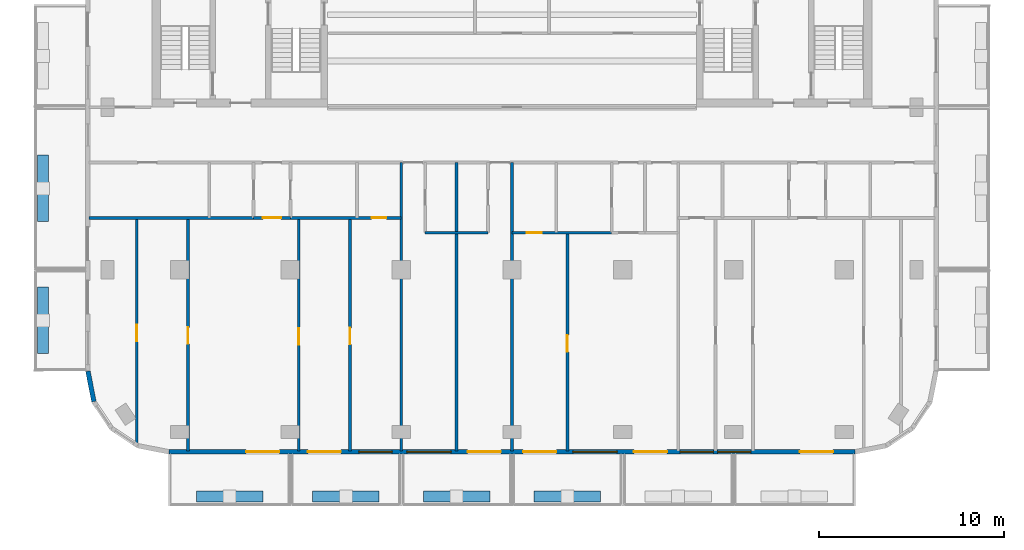
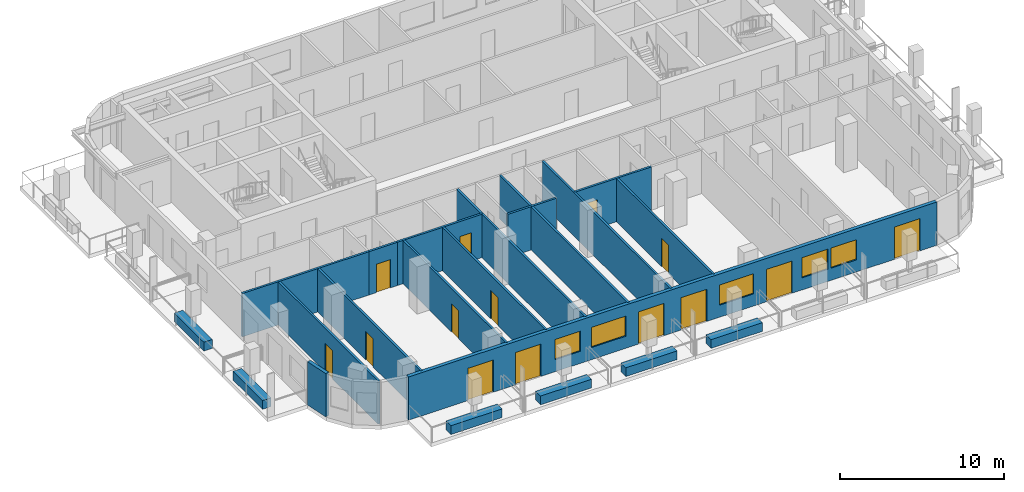
# One storey, part 2 of 11: 21 walls, 14 doors, 5 windows, 19 openings.
"""IFC4 building model written with IfcOpenShell, lengths in metres."""

from ifc_helpers import new_model, si_unit, direction, frame, frame_2d, origin, place, context, subcontext, project, spatial, rectangle, extrude, material, layer, layer_set, type_object, element, fill, save


model = new_model("IFC4")

# Units and contexts
model_context = context("Model", 3, precision=1e-05, world=origin(), true_north=direction((0.0, 1.0)))
body_context = subcontext(model_context, "Body", "Model", "MODEL_VIEW")
ifc_project = project(units=[si_unit("LENGTHUNIT", "METRE"), si_unit("AREAUNIT", "SQUARE_METRE"), si_unit("VOLUMEUNIT", "CUBIC_METRE"), si_unit("PLANEANGLEUNIT", "RADIAN"), si_unit("MASSUNIT", "GRAM", prefix="KILO")], contexts=[model_context])

# Site, building, storey
site_placement = place(None, origin())
site = spatial("IfcSite", under=ifc_project, at=site_placement, CompositionType="ELEMENT")
building_placement = place(site_placement, origin())
building = spatial("IfcBuilding", under=site, at=building_placement, Name="Torana Hotel and Residences", CompositionType="ELEMENT")
storey_placement = place(building_placement, frame((0.0, 0.0, 294.60009765625)))
storey = spatial("IfcBuildingStorey", under=building, at=storey_placement, Name="L78", CompositionType="ELEMENT", Elevation=294.60009765625)

# Wall
ifc_material_1 = material(Name="Black aluminium composite panel", Category="aluminium")
ifc_layer_1 = layer(ifc_material_1, 0.00390625, Name="Cladding", Category="cladding")
ifc_material_2 = material(Name="Ventilated air cavity")
ifc_layer_2 = layer(ifc_material_2, 0.0400390625, Name="Ventilated cavity", Category="cavity")
ifc_material_3 = material(Name="Mineral wool insulation")
ifc_layer_3 = layer(ifc_material_3, 0.090087890625, Name="Insulation", Category="insulation")
ifc_material_4 = material(Name="Steel S280GD", Category="steel")
ifc_layer_4 = layer(ifc_material_4, 0.092041015625, Name="Steel stud frame", Category="structure")
ifc_material_5 = material(Name="Fire rated plasterboard")
ifc_layer_5 = layer(ifc_material_5, 0.011962890625, Name="Inner board", Category="finish")
ifc_layer_6 = layer(ifc_material_5, 0.011962890625, Name="Second board", Category="finish")
ifc_layer_set_1 = layer_set([ifc_layer_1, ifc_layer_2, ifc_layer_3, ifc_layer_4, ifc_layer_5, ifc_layer_6], Name="EW1 EXTERNAL WALL BLACK METAL CLAD 250")
wall_type_1 = type_object("IfcWallType", Name="EW1 EXTERNAL WALL BLACK METAL CLAD 250", PredefinedType="SOLIDWALL", material=ifc_layer_set_1)
wall_1_placement = place(storey_placement, frame((-22.97265625, -29.2998046875, 0.0), z_axis=(0.0, 0.0, 1.0), x_axis=(0.19513878023, -0.980775640221, 0.0)))
element("IfcWall", 1, at=wall_1_placement, inside=storey, type_object=wall_type_1, Name="External wall L78 e0.10", PredefinedType="SOLIDWALL", context=body_context, shape_type="SweptSolid", body=[
    extrude(rectangle(XDim=1.681396484375, YDim=0.25, at=frame_2d((0.8408203125, 0.0))), origin(), (0.0, 0.0, 1.0), 3.219970703125),
])

# Wall, openings, doors, windows
wall_2_placement = place(storey_placement, frame((-18.575439453125, -33.675048828125, 0.0), z_axis=(0.0, 0.0, 1.0), x_axis=(1.0, 0.0, 0.0)))
wall_2 = element("IfcWall", 2, at=wall_2_placement, inside=storey, type_object=wall_type_1, Name="External wall L78 e0.14", PredefinedType="SOLIDWALL", context=body_context, shape_type="SweptSolid", body=[
    extrude(rectangle(XDim=37.15087890625, YDim=0.25, at=frame_2d((18.575439453125, 0.0))), origin(), (0.0, 0.0, 1.0), 3.219970703125),
])
opening_1_placement = place(wall_2_placement, frame((4.17529296875, 0.0, 0.0)))
opening_1 = element("IfcOpeningElement", 3, at=opening_1_placement, cuts=wall_2, Name="Opening L78-E01", PredefinedType="OPENING", context=body_context, shape_type="SweptSolid", body=[
    extrude(rectangle(XDim=1.800048828125, YDim=2.39990234375, at=frame_2d((0.89990234375, 1.199951171875))), frame((0.0, 0.135009765625, 0.0), z_axis=(0.0, -1.0, 0.0), x_axis=(1.0, 0.0, 0.0)), (0.0, 0.0, 1.0), 0.27001953125),
])
opening_2_placement = place(wall_2_placement, frame((7.512451171875, 0.0, 0.0)))
opening_2 = element("IfcOpeningElement", 4, at=opening_2_placement, cuts=wall_2, Name="Opening L78-E02", PredefinedType="OPENING", context=body_context, shape_type="SweptSolid", body=[
    extrude(rectangle(XDim=1.800048828125, YDim=2.39990234375, at=frame_2d((0.89990234375, 1.199951171875))), frame((0.0, 0.135009765625, 0.0), z_axis=(0.0, -1.0, 0.0), x_axis=(1.0, 0.0, 0.0)), (0.0, 0.0, 1.0), 0.27001953125),
])
opening_3_placement = place(wall_2_placement, frame((10.287353515625, 0.0, 0.89990234375)))
opening_3 = element("IfcOpeningElement", 5, at=opening_3_placement, cuts=wall_2, Name="Opening W4", PredefinedType="OPENING", context=body_context, shape_type="SweptSolid", body=[
    extrude(rectangle(XDim=1.800048828125, YDim=1.5, at=frame_2d((0.89990234375, 0.75))), frame((0.0, 0.135009765625, 0.0), z_axis=(0.0, -1.0, 0.0), x_axis=(1.0, 0.0, 0.0)), (0.0, 0.0, 1.0), 0.27001953125),
])
opening_4_placement = place(wall_2_placement, frame((12.87548828125, 0.0, 0.89990234375)))
opening_4 = element("IfcOpeningElement", 6, at=opening_4_placement, cuts=wall_2, Name="Opening W3", PredefinedType="OPENING", context=body_context, shape_type="SweptSolid", body=[
    extrude(rectangle(XDim=2.39990234375, YDim=1.5, at=frame_2d((1.199951171875, 0.75))), frame((0.0, 0.135009765625, 0.0), z_axis=(0.0, -1.0, 0.0), x_axis=(1.0, 0.0, 0.0)), (0.0, 0.0, 1.0), 0.27001953125),
])
opening_5_placement = place(wall_2_placement, frame((16.17529296875, 0.0, 0.0)))
opening_5 = element("IfcOpeningElement", 7, at=opening_5_placement, cuts=wall_2, Name="Opening L78-E03", PredefinedType="OPENING", context=body_context, shape_type="SweptSolid", body=[
    extrude(rectangle(XDim=1.800048828125, YDim=2.39990234375, at=frame_2d((0.89990234375, 1.199951171875))), frame((0.0, 0.135009765625, 0.0), z_axis=(0.0, -1.0, 0.0), x_axis=(1.0, 0.0, 0.0)), (0.0, 0.0, 1.0), 0.27001953125),
])
opening_6_placement = place(wall_2_placement, frame((19.17529296875, 0.0, 0.0)))
opening_6 = element("IfcOpeningElement", 8, at=opening_6_placement, cuts=wall_2, Name="Opening L78-E04", PredefinedType="OPENING", context=body_context, shape_type="SweptSolid", body=[
    extrude(rectangle(XDim=1.800048828125, YDim=2.39990234375, at=frame_2d((0.89990234375, 1.199951171875))), frame((0.0, 0.135009765625, 0.0), z_axis=(0.0, -1.0, 0.0), x_axis=(1.0, 0.0, 0.0)), (0.0, 0.0, 1.0), 0.27001953125),
])
opening_7_placement = place(wall_2_placement, frame((21.87548828125, 0.0, 0.89990234375)))
opening_7 = element("IfcOpeningElement", 9, at=opening_7_placement, cuts=wall_2, Name="Opening W3", PredefinedType="OPENING", context=body_context, shape_type="SweptSolid", body=[
    extrude(rectangle(XDim=2.39990234375, YDim=1.5, at=frame_2d((1.199951171875, 0.75))), frame((0.0, 0.135009765625, 0.0), z_axis=(0.0, -1.0, 0.0), x_axis=(1.0, 0.0, 0.0)), (0.0, 0.0, 1.0), 0.27001953125),
])
opening_8_placement = place(wall_2_placement, frame((25.17529296875, 0.0, 0.0)))
opening_8 = element("IfcOpeningElement", 10, at=opening_8_placement, cuts=wall_2, Name="Opening L78-E05", PredefinedType="OPENING", context=body_context, shape_type="SweptSolid", body=[
    extrude(rectangle(XDim=1.800048828125, YDim=2.39990234375, at=frame_2d((0.89990234375, 1.199951171875))), frame((0.0, 0.135009765625, 0.0), z_axis=(0.0, -1.0, 0.0), x_axis=(1.0, 0.0, 0.0)), (0.0, 0.0, 1.0), 0.27001953125),
])
opening_9_placement = place(wall_2_placement, frame((27.6875, 0.0, 0.89990234375)))
opening_9 = element("IfcOpeningElement", 11, at=opening_9_placement, cuts=wall_2, Name="Opening W4", PredefinedType="OPENING", context=body_context, shape_type="SweptSolid", body=[
    extrude(rectangle(XDim=1.800048828125, YDim=1.5, at=frame_2d((0.89990234375, 0.75))), frame((0.0, 0.135009765625, 0.0), z_axis=(0.0, -1.0, 0.0), x_axis=(1.0, 0.0, 0.0)), (0.0, 0.0, 1.0), 0.27001953125),
])
opening_10_placement = place(wall_2_placement, frame((29.71337890625, 0.0, 0.89990234375)))
opening_10 = element("IfcOpeningElement", 12, at=opening_10_placement, cuts=wall_2, Name="Opening W4", PredefinedType="OPENING", context=body_context, shape_type="SweptSolid", body=[
    extrude(rectangle(XDim=1.800048828125, YDim=1.5, at=frame_2d((0.89990234375, 0.75))), frame((0.0, 0.135009765625, 0.0), z_axis=(0.0, -1.0, 0.0), x_axis=(1.0, 0.0, 0.0)), (0.0, 0.0, 1.0), 0.27001953125),
])
opening_11_placement = place(wall_2_placement, frame((34.17529296875, 0.0, 0.0)))
opening_11 = element("IfcOpeningElement", 13, at=opening_11_placement, cuts=wall_2, Name="Opening L78-E06", PredefinedType="OPENING", context=body_context, shape_type="SweptSolid", body=[
    extrude(rectangle(XDim=1.800048828125, YDim=2.39990234375, at=frame_2d((0.89990234375, 1.199951171875))), frame((0.0, 0.135009765625, 0.0), z_axis=(0.0, -1.0, 0.0), x_axis=(1.0, 0.0, 0.0)), (0.0, 0.0, 1.0), 0.27001953125),
])
ifc_material_6 = material(Name="Dark glass in black aluminium frame", Category="aluminium")
door_type_1 = type_object("IfcDoorType", Name="DB1 BALCONY DOOR 1800x2400", OperationType="DOUBLE_DOOR_SINGLE_SWING", PredefinedType="DOOR", material=ifc_material_6)
door_1_placement = place(opening_1_placement, origin())
door_1 = element("IfcDoor", 14, at=door_1_placement, inside=storey, type_object=door_type_1, Name="Balcony door L78", OperationType="DOUBLE_DOOR_SINGLE_SWING", OverallHeight=2.39990234375, OverallWidth=1.800048828125, PredefinedType="DOOR", context=body_context, shape_type="SweptSolid", body=[
    extrude(rectangle(XDim=1.800048828125, YDim=2.39990234375, at=frame_2d((0.89990234375, 1.199951171875))), frame((0.0, 0.02490234375, 0.0), z_axis=(0.0, -1.0, 0.0), x_axis=(1.0, 0.0, 0.0)), (0.0, 0.0, 1.0), 0.050048828125),
])
fill(opening_1, door_1)
door_2_placement = place(opening_2_placement, origin())
door_2 = element("IfcDoor", 15, at=door_2_placement, inside=storey, type_object=door_type_1, Name="Balcony door L78", OperationType="DOUBLE_DOOR_SINGLE_SWING", OverallHeight=2.39990234375, OverallWidth=1.800048828125, PredefinedType="DOOR", context=body_context, shape_type="SweptSolid", body=[
    extrude(rectangle(XDim=1.800048828125, YDim=2.39990234375, at=frame_2d((0.89990234375, 1.199951171875))), frame((0.0, 0.02490234375, 0.0), z_axis=(0.0, -1.0, 0.0), x_axis=(1.0, 0.0, 0.0)), (0.0, 0.0, 1.0), 0.050048828125),
])
fill(opening_2, door_2)
door_3_placement = place(opening_5_placement, origin())
door_3 = element("IfcDoor", 16, at=door_3_placement, inside=storey, type_object=door_type_1, Name="Balcony door L78", OperationType="DOUBLE_DOOR_SINGLE_SWING", OverallHeight=2.39990234375, OverallWidth=1.800048828125, PredefinedType="DOOR", context=body_context, shape_type="SweptSolid", body=[
    extrude(rectangle(XDim=1.800048828125, YDim=2.39990234375, at=frame_2d((0.89990234375, 1.199951171875))), frame((0.0, 0.02490234375, 0.0), z_axis=(0.0, -1.0, 0.0), x_axis=(1.0, 0.0, 0.0)), (0.0, 0.0, 1.0), 0.050048828125),
])
fill(opening_5, door_3)
door_4_placement = place(opening_6_placement, origin())
door_4 = element("IfcDoor", 17, at=door_4_placement, inside=storey, type_object=door_type_1, Name="Balcony door L78", OperationType="DOUBLE_DOOR_SINGLE_SWING", OverallHeight=2.39990234375, OverallWidth=1.800048828125, PredefinedType="DOOR", context=body_context, shape_type="SweptSolid", body=[
    extrude(rectangle(XDim=1.800048828125, YDim=2.39990234375, at=frame_2d((0.89990234375, 1.199951171875))), frame((0.0, 0.02490234375, 0.0), z_axis=(0.0, -1.0, 0.0), x_axis=(1.0, 0.0, 0.0)), (0.0, 0.0, 1.0), 0.050048828125),
])
fill(opening_6, door_4)
door_5_placement = place(opening_8_placement, origin())
door_5 = element("IfcDoor", 18, at=door_5_placement, inside=storey, type_object=door_type_1, Name="Balcony door L78", OperationType="DOUBLE_DOOR_SINGLE_SWING", OverallHeight=2.39990234375, OverallWidth=1.800048828125, PredefinedType="DOOR", context=body_context, shape_type="SweptSolid", body=[
    extrude(rectangle(XDim=1.800048828125, YDim=2.39990234375, at=frame_2d((0.89990234375, 1.199951171875))), frame((0.0, 0.02490234375, 0.0), z_axis=(0.0, -1.0, 0.0), x_axis=(1.0, 0.0, 0.0)), (0.0, 0.0, 1.0), 0.050048828125),
])
fill(opening_8, door_5)
door_6_placement = place(opening_11_placement, origin())
door_6 = element("IfcDoor", 19, at=door_6_placement, inside=storey, type_object=door_type_1, Name="Balcony door L78", OperationType="DOUBLE_DOOR_SINGLE_SWING", OverallHeight=2.39990234375, OverallWidth=1.800048828125, PredefinedType="DOOR", context=body_context, shape_type="SweptSolid", body=[
    extrude(rectangle(XDim=1.800048828125, YDim=2.39990234375, at=frame_2d((0.89990234375, 1.199951171875))), frame((0.0, 0.02490234375, 0.0), z_axis=(0.0, -1.0, 0.0), x_axis=(1.0, 0.0, 0.0)), (0.0, 0.0, 1.0), 0.050048828125),
])
fill(opening_11, door_6)
ifc_material_7 = material(Name="Dark glass in black aluminium frame", Category="aluminium")
window_type_1 = type_object("IfcWindowType", Name="W3 RESIDENCE WINDOW 2400x1500", PartitioningType="SINGLE_PANEL", PredefinedType="WINDOW", material=ifc_material_7)
window_1_placement = place(opening_4_placement, origin())
window_1 = element("IfcWindow", 20, at=window_1_placement, inside=storey, type_object=window_type_1, Name="Window L78", OverallHeight=1.5, OverallWidth=2.39990234375, PartitioningType="SINGLE_PANEL", PredefinedType="WINDOW", context=body_context, shape_type="SweptSolid", body=[
    extrude(rectangle(XDim=2.39990234375, YDim=1.5, at=frame_2d((1.199951171875, 0.75))), frame((0.0, 0.030029296875, 0.0), z_axis=(0.0, -1.0, 0.0), x_axis=(1.0, 0.0, 0.0)), (0.0, 0.0, 1.0), 0.06005859375),
])
fill(opening_4, window_1)
window_2_placement = place(opening_7_placement, origin())
window_2 = element("IfcWindow", 21, at=window_2_placement, inside=storey, type_object=window_type_1, Name="Window L78", OverallHeight=1.5, OverallWidth=2.39990234375, PartitioningType="SINGLE_PANEL", PredefinedType="WINDOW", context=body_context, shape_type="SweptSolid", body=[
    extrude(rectangle(XDim=2.39990234375, YDim=1.5, at=frame_2d((1.199951171875, 0.75))), frame((0.0, 0.030029296875, 0.0), z_axis=(0.0, -1.0, 0.0), x_axis=(1.0, 0.0, 0.0)), (0.0, 0.0, 1.0), 0.06005859375),
])
fill(opening_7, window_2)
ifc_material_8 = material(Name="Dark glass in black aluminium frame", Category="aluminium")
window_type_2 = type_object("IfcWindowType", Name="W4 RESIDENCE WINDOW NARROW 1800x1500", PartitioningType="SINGLE_PANEL", PredefinedType="WINDOW", material=ifc_material_8)
window_3_placement = place(opening_3_placement, origin())
window_3 = element("IfcWindow", 22, at=window_3_placement, inside=storey, type_object=window_type_2, Name="Window L78", OverallHeight=1.5, OverallWidth=1.800048828125, PartitioningType="SINGLE_PANEL", PredefinedType="WINDOW", context=body_context, shape_type="SweptSolid", body=[
    extrude(rectangle(XDim=1.800048828125, YDim=1.5, at=frame_2d((0.89990234375, 0.75))), frame((0.0, 0.030029296875, 0.0), z_axis=(0.0, -1.0, 0.0), x_axis=(1.0, 0.0, 0.0)), (0.0, 0.0, 1.0), 0.06005859375),
])
fill(opening_3, window_3)
window_4_placement = place(opening_9_placement, origin())
window_4 = element("IfcWindow", 23, at=window_4_placement, inside=storey, type_object=window_type_2, Name="Window L78", OverallHeight=1.5, OverallWidth=1.800048828125, PartitioningType="SINGLE_PANEL", PredefinedType="WINDOW", context=body_context, shape_type="SweptSolid", body=[
    extrude(rectangle(XDim=1.800048828125, YDim=1.5, at=frame_2d((0.89990234375, 0.75))), frame((0.0, 0.030029296875, 0.0), z_axis=(0.0, -1.0, 0.0), x_axis=(1.0, 0.0, 0.0)), (0.0, 0.0, 1.0), 0.06005859375),
])
fill(opening_9, window_4)
window_5_placement = place(opening_10_placement, origin())
window_5 = element("IfcWindow", 24, at=window_5_placement, inside=storey, type_object=window_type_2, Name="Window L78", OverallHeight=1.5, OverallWidth=1.800048828125, PartitioningType="SINGLE_PANEL", PredefinedType="WINDOW", context=body_context, shape_type="SweptSolid", body=[
    extrude(rectangle(XDim=1.800048828125, YDim=1.5, at=frame_2d((0.89990234375, 0.75))), frame((0.0, 0.030029296875, 0.0), z_axis=(0.0, -1.0, 0.0), x_axis=(1.0, 0.0, 0.0)), (0.0, 0.0, 1.0), 0.06005859375),
])
fill(opening_10, window_5)

# Wall, opening, door
ifc_material_9 = material(Name="Gypsum plaster")
ifc_layer_7 = layer(ifc_material_9, 0.014892578125, Name="Plaster", Category="finish")
ifc_material_10 = material(Name="Concrete blockwork", Category="masonry")
ifc_layer_8 = layer(ifc_material_10, 0.1201171875, Name="Blockwork", Category="structure")
ifc_layer_9 = layer(ifc_material_9, 0.014892578125, Name="Plaster", Category="finish")
ifc_layer_set_2 = layer_set([ifc_layer_7, ifc_layer_8, ifc_layer_9], Name="FIRE PARTITION 150 BLOCKWORK")
wall_type_2 = type_object("IfcWallType", Name="FIRE PARTITION 150 BLOCKWORK", PredefinedType="PARTITIONING", material=ifc_layer_set_2)
wall_3_placement = place(storey_placement, frame((-14.0, -21.0, 0.0), z_axis=(0.0, 0.0, 1.0), x_axis=(1.0, 0.0, 0.0)))
wall_3 = element("IfcWall", 25, at=wall_3_placement, inside=storey, type_object=wall_type_2, Name="Partition L78", PredefinedType="PARTITIONING", context=body_context, shape_type="SweptSolid", body=[
    extrude(rectangle(XDim=2.0, YDim=0.14990234375, at=frame_2d((1.0, 0.0))), origin(), (0.0, 0.0, 1.0), 3.219970703125),
])
opening_12_placement = place(wall_3_placement, frame((0.5, 0.0, 0.0)))
opening_12 = element("IfcOpeningElement", 26, at=opening_12_placement, cuts=wall_3, Name="Opening L78-47", PredefinedType="OPENING", context=body_context, shape_type="SweptSolid", body=[
    extrude(rectangle(XDim=1.0, YDim=2.10009765625, at=frame_2d((0.5, 1.050048828125))), frame((0.0, 0.0849609375, 0.0), z_axis=(0.0, -1.0, 0.0), x_axis=(1.0, 0.0, 0.0)), (0.0, 0.0, 1.0), 0.169921875),
])
ifc_material_11 = material(Name="Steel S235", Category="steel")
door_type_2 = type_object("IfcDoorType", Name="ENTRY FIRE DOOR D6 1000x2100", OperationType="SINGLE_SWING_LEFT", PredefinedType="DOOR", material=ifc_material_11)
door_7_placement = place(opening_12_placement, frame((0.5, 0.0, 0.0), z_axis=(0.0, 0.0, 1.0), x_axis=(-1.0, 0.0, 0.0)))
door_7 = element("IfcDoor", 27, at=door_7_placement, inside=storey, type_object=door_type_2, Name="Door L78", OperationType="SINGLE_SWING_RIGHT", OverallHeight=2.10009765625, OverallWidth=1.0, PredefinedType="DOOR", context=body_context, shape_type="SweptSolid", body=[
    extrude(rectangle(XDim=1.0, YDim=2.10009765625, at=frame_2d((0.0, 1.050048828125))), frame((0.0, -0.02490234375, 0.0), z_axis=(0.0, 1.0, 0.0), x_axis=(-1.0, 0.0, 0.0)), (0.0, 0.0, 1.0), 0.050048828125),
])
fill(opening_12, door_7)

ifc_material_12 = material(Name="Gypsum plasterboard")
ifc_layer_10 = layer(ifc_material_12, 0.012451171875, Name="Plasterboard", Category="finish")
ifc_layer_11 = layer(ifc_material_12, 0.012451171875, Name="Plasterboard", Category="finish")
ifc_layer_12 = layer(ifc_material_4, 0.10009765625, Name="Steel studs with mineral wool", Category="insulation")
ifc_layer_13 = layer(ifc_material_12, 0.012451171875, Name="Plasterboard", Category="finish")
ifc_layer_14 = layer(ifc_material_12, 0.012451171875, Name="Plasterboard", Category="finish")
ifc_layer_set_3 = layer_set([ifc_layer_10, ifc_layer_11, ifc_layer_12, ifc_layer_13, ifc_layer_14], Name="PARTITION 150 PLASTERBOARD")
wall_type_3 = type_object("IfcWallType", Name="PARTITION 150 PLASTERBOARD", PredefinedType="PARTITIONING", material=ifc_layer_set_3)
wall_4_placement = place(storey_placement, frame((3.0, -33.6201171875, 0.0), z_axis=(0.0, 0.0, 1.0), x_axis=(0.0, 1.0, 0.0)))
wall_4 = element("IfcWall", 28, at=wall_4_placement, inside=storey, type_object=wall_type_3, Name="Partition L78", PredefinedType="PARTITIONING", context=body_context, shape_type="SweptSolid", body=[
    extrude(rectangle(XDim=11.820068359375, YDim=0.14990234375, at=frame_2d((5.91015625, 0.0))), origin(), (0.0, 0.0, 1.0), 3.219970703125),
])
opening_13_placement = place(wall_4_placement, frame((5.3701171875, 0.0, 0.0)))
opening_13 = element("IfcOpeningElement", 29, at=opening_13_placement, cuts=wall_4, Name="Opening L78-43", PredefinedType="OPENING", context=body_context, shape_type="SweptSolid", body=[
    extrude(rectangle(XDim=0.89990234375, YDim=2.10009765625, at=frame_2d((0.449951171875, 1.050048828125))), frame((0.0, 0.0849609375, 0.0), z_axis=(0.0, -1.0, 0.0), x_axis=(1.0, 0.0, 0.0)), (0.0, 0.0, 1.0), 0.169921875),
])
ifc_material_13 = material(Name="Timber door, oiled ash", Category="wood")
door_type_3 = type_object("IfcDoorType", Name="ROOM DOOR D7 900x2100", OperationType="SINGLE_SWING_LEFT", PredefinedType="DOOR", material=ifc_material_13)
door_8_placement = place(opening_13_placement, origin())
door_8 = element("IfcDoor", 30, at=door_8_placement, inside=storey, type_object=door_type_3, Name="Door L78", OperationType="SINGLE_SWING_RIGHT", OverallHeight=2.10009765625, OverallWidth=0.89990234375, PredefinedType="DOOR", context=body_context, shape_type="SweptSolid", body=[
    extrude(rectangle(XDim=0.89990234375, YDim=2.10009765625, at=frame_2d((0.449951171875, 1.050048828125))), frame((0.0, 0.02490234375, 0.0), z_axis=(0.0, -1.0, 0.0), x_axis=(1.0, 0.0, 0.0)), (0.0, 0.0, 1.0), 0.050048828125),
])
fill(opening_13, door_8)

# Walls
for number, where, z_axis, x_axis, name in (
    (31, (0.0, -33.6201171875, 0.0), (0.0, 0.0, 1.0), (0.0, 1.0, 0.0), "Partition L78"),
    (32, (-3.0, -33.6201171875, 0.0), (0.0, 0.0, 1.0), (0.0, 1.0, 0.0), "Partition L78"),
    (33, (-6.0, -33.6201171875, 0.0), (0.0, 0.0, 1.0), (0.0, 1.0, 0.0), "Partition L78"),
):
    element("IfcWall", number, at=place(storey_placement, frame(where, z_axis=z_axis, x_axis=x_axis)), inside=storey, type_object=wall_type_3, Name=name, PredefinedType="PARTITIONING", context=body_context, shape_type="SweptSolid", body=[
        extrude(rectangle(XDim=15.6201171875, YDim=0.14990234375, at=frame_2d((7.81005859375, 0.0))), origin(), (0.0, 0.0, 1.0), 3.219970703125),
    ])

# Wall, opening, door
wall_5_placement = place(storey_placement, frame((-8.77490234375, -33.6201171875, 0.0), z_axis=(0.0, 0.0, 1.0), x_axis=(0.0, 1.0, 0.0)))
wall_5 = element("IfcWall", 34, at=wall_5_placement, inside=storey, type_object=wall_type_3, Name="Partition L78", PredefinedType="PARTITIONING", context=body_context, shape_type="SweptSolid", body=[
    extrude(rectangle(XDim=12.6201171875, YDim=0.14990234375, at=frame_2d((6.31005859375, 0.0))), origin(), (0.0, 0.0, 1.0), 3.219970703125),
])
opening_14_placement = place(wall_5_placement, frame((5.77001953125, 0.0, 0.0)))
opening_14 = element("IfcOpeningElement", 35, at=opening_14_placement, cuts=wall_5, Name="Opening L78-50", PredefinedType="OPENING", context=body_context, shape_type="SweptSolid", body=[
    extrude(rectangle(XDim=0.89990234375, YDim=2.10009765625, at=frame_2d((0.449951171875, 1.050048828125))), frame((0.0, 0.0849609375, 0.0), z_axis=(0.0, -1.0, 0.0), x_axis=(1.0, 0.0, 0.0)), (0.0, 0.0, 1.0), 0.169921875),
])
door_9_placement = place(opening_14_placement, origin())
door_9 = element("IfcDoor", 36, at=door_9_placement, inside=storey, type_object=door_type_3, Name="Door L78", OperationType="SINGLE_SWING_RIGHT", OverallHeight=2.10009765625, OverallWidth=0.89990234375, PredefinedType="DOOR", context=body_context, shape_type="SweptSolid", body=[
    extrude(rectangle(XDim=0.89990234375, YDim=2.10009765625, at=frame_2d((0.449951171875, 1.050048828125))), frame((0.0, 0.02490234375, 0.0), z_axis=(0.0, -1.0, 0.0), x_axis=(1.0, 0.0, 0.0)), (0.0, 0.0, 1.0), 0.050048828125),
])
fill(opening_14, door_9)

wall_6_placement = place(storey_placement, frame((-11.550048828125, -33.6201171875, 0.0), z_axis=(0.0, 0.0, 1.0), x_axis=(0.0, 1.0, 0.0)))
wall_6 = element("IfcWall", 37, at=wall_6_placement, inside=storey, type_object=wall_type_3, Name="Partition L78", PredefinedType="PARTITIONING", context=body_context, shape_type="SweptSolid", body=[
    extrude(rectangle(XDim=12.6201171875, YDim=0.14990234375, at=frame_2d((6.31005859375, 0.0))), origin(), (0.0, 0.0, 1.0), 3.219970703125),
])
opening_15_placement = place(wall_6_placement, frame((5.75, 0.0, 0.0)))
opening_15 = element("IfcOpeningElement", 38, at=opening_15_placement, cuts=wall_6, Name="Opening L78-48", PredefinedType="OPENING", context=body_context, shape_type="SweptSolid", body=[
    extrude(rectangle(XDim=0.89990234375, YDim=2.10009765625, at=frame_2d((0.449951171875, 1.050048828125))), frame((0.0, 0.0849609375, 0.0), z_axis=(0.0, -1.0, 0.0), x_axis=(1.0, 0.0, 0.0)), (0.0, 0.0, 1.0), 0.169921875),
])
door_10_placement = place(opening_15_placement, origin())
door_10 = element("IfcDoor", 39, at=door_10_placement, inside=storey, type_object=door_type_3, Name="Door L78", OperationType="SINGLE_SWING_RIGHT", OverallHeight=2.10009765625, OverallWidth=0.89990234375, PredefinedType="DOOR", context=body_context, shape_type="SweptSolid", body=[
    extrude(rectangle(XDim=0.89990234375, YDim=2.10009765625, at=frame_2d((0.449951171875, 1.050048828125))), frame((0.0, 0.02490234375, 0.0), z_axis=(0.0, -1.0, 0.0), x_axis=(1.0, 0.0, 0.0)), (0.0, 0.0, 1.0), 0.050048828125),
])
fill(opening_15, door_10)

wall_7_placement = place(storey_placement, frame((-17.550048828125, -33.6201171875, 0.0), z_axis=(0.0, 0.0, 1.0), x_axis=(0.0, 1.0, 0.0)))
wall_7 = element("IfcWall", 40, at=wall_7_placement, inside=storey, type_object=wall_type_3, Name="Partition L78", PredefinedType="PARTITIONING", context=body_context, shape_type="SweptSolid", body=[
    extrude(rectangle(XDim=12.6201171875, YDim=0.14990234375, at=frame_2d((6.31005859375, 0.0))), origin(), (0.0, 0.0, 1.0), 3.219970703125),
])
opening_16_placement = place(wall_7_placement, frame((5.7900390625, 0.0, 0.0)))
opening_16 = element("IfcOpeningElement", 41, at=opening_16_placement, cuts=wall_7, Name="Opening L78-49", PredefinedType="OPENING", context=body_context, shape_type="SweptSolid", body=[
    extrude(rectangle(XDim=0.89990234375, YDim=2.10009765625, at=frame_2d((0.449951171875, 1.050048828125))), frame((0.0, 0.0849609375, 0.0), z_axis=(0.0, -1.0, 0.0), x_axis=(1.0, 0.0, 0.0)), (0.0, 0.0, 1.0), 0.169921875),
])
door_11_placement = place(opening_16_placement, origin())
door_11 = element("IfcDoor", 42, at=door_11_placement, inside=storey, type_object=door_type_3, Name="Door L78", OperationType="SINGLE_SWING_RIGHT", OverallHeight=2.10009765625, OverallWidth=0.89990234375, PredefinedType="DOOR", context=body_context, shape_type="SweptSolid", body=[
    extrude(rectangle(XDim=0.89990234375, YDim=2.10009765625, at=frame_2d((0.449951171875, 1.050048828125))), frame((0.0, 0.02490234375, 0.0), z_axis=(0.0, -1.0, 0.0), x_axis=(1.0, 0.0, 0.0)), (0.0, 0.0, 1.0), 0.050048828125),
])
fill(opening_16, door_11)

wall_8_placement = place(storey_placement, frame((-20.324951171875, -33.239013671875, 0.0), z_axis=(0.0, 0.0, 1.0), x_axis=(0.0, 1.0, 0.0)))
wall_8 = element("IfcWall", 43, at=wall_8_placement, inside=storey, type_object=wall_type_3, Name="Partition L78", PredefinedType="PARTITIONING", context=body_context, shape_type="SweptSolid", body=[
    extrude(rectangle(XDim=12.239013671875, YDim=0.14990234375, at=frame_2d((6.11962890625, 0.0))), origin(), (0.0, 0.0, 1.0), 3.219970703125),
])
opening_17_placement = place(wall_8_placement, frame((5.552978515625, 0.0, 0.0)))
opening_17 = element("IfcOpeningElement", 44, at=opening_17_placement, cuts=wall_8, Name="Opening L78-51", PredefinedType="OPENING", context=body_context, shape_type="SweptSolid", body=[
    extrude(rectangle(XDim=0.89990234375, YDim=2.10009765625, at=frame_2d((0.449951171875, 1.050048828125))), frame((0.0, 0.0849609375, 0.0), z_axis=(0.0, -1.0, 0.0), x_axis=(1.0, 0.0, 0.0)), (0.0, 0.0, 1.0), 0.169921875),
])
door_12_placement = place(opening_17_placement, origin())
door_12 = element("IfcDoor", 45, at=door_12_placement, inside=storey, type_object=door_type_3, Name="Door L78", OperationType="SINGLE_SWING_RIGHT", OverallHeight=2.10009765625, OverallWidth=0.89990234375, PredefinedType="DOOR", context=body_context, shape_type="SweptSolid", body=[
    extrude(rectangle(XDim=0.89990234375, YDim=2.10009765625, at=frame_2d((0.449951171875, 1.050048828125))), frame((0.0, 0.02490234375, 0.0), z_axis=(0.0, -1.0, 0.0), x_axis=(1.0, 0.0, 0.0)), (0.0, 0.0, 1.0), 0.050048828125),
])
fill(opening_17, door_12)

# Wall
wall_9_placement = place(storey_placement, frame((-4.699951171875, -21.800048828125, 0.0), z_axis=(0.0, 0.0, 1.0), x_axis=(1.0, 0.0, 0.0)))
element("IfcWall", 46, at=wall_9_placement, inside=storey, type_object=wall_type_3, Name="Partition L78", PredefinedType="PARTITIONING", context=body_context, shape_type="SweptSolid", body=[
    extrude(rectangle(XDim=3.39990234375, YDim=0.14990234375, at=frame_2d((1.699951171875, 0.0))), origin(), (0.0, 0.0, 1.0), 3.219970703125),
])

# Wall, opening, door
wall_10_placement = place(storey_placement, frame((0.0, -21.800048828125, 0.0), z_axis=(0.0, 0.0, 1.0), x_axis=(1.0, 0.0, 0.0)))
wall_10 = element("IfcWall", 47, at=wall_10_placement, inside=storey, type_object=wall_type_3, Name="Partition L78", PredefinedType="PARTITIONING", context=body_context, shape_type="SweptSolid", body=[
    extrude(rectangle(XDim=5.39990234375, YDim=0.14990234375, at=frame_2d((2.699951171875, 0.0))), origin(), (0.0, 0.0, 1.0), 3.219970703125),
])
opening_18_placement = place(wall_10_placement, frame((0.800048828125, 0.0, 0.0)))
opening_18 = element("IfcOpeningElement", 48, at=opening_18_placement, cuts=wall_10, Name="Opening L78-40", PredefinedType="OPENING", context=body_context, shape_type="SweptSolid", body=[
    extrude(rectangle(XDim=0.800048828125, YDim=2.10009765625, at=frame_2d((0.39990234375, 1.050048828125))), frame((0.0, 0.0849609375, 0.0), z_axis=(0.0, -1.0, 0.0), x_axis=(1.0, 0.0, 0.0)), (0.0, 0.0, 1.0), 0.169921875),
])
ifc_material_14 = material(Name="Timber door, painted", Category="wood")
door_type_4 = type_object("IfcDoorType", Name="BATH DOOR D13 800x2100", OperationType="SINGLE_SWING_LEFT", PredefinedType="DOOR", material=ifc_material_14)
door_13_placement = place(opening_18_placement, origin())
door_13 = element("IfcDoor", 49, at=door_13_placement, inside=storey, type_object=door_type_4, Name="Door L78", OperationType="SINGLE_SWING_RIGHT", OverallHeight=2.10009765625, OverallWidth=0.800048828125, PredefinedType="DOOR", context=body_context, shape_type="SweptSolid", body=[
    extrude(rectangle(XDim=0.800048828125, YDim=2.10009765625, at=frame_2d((0.39990234375, 1.050048828125))), frame((0.0, 0.02490234375, 0.0), z_axis=(0.0, -1.0, 0.0), x_axis=(1.0, 0.0, 0.0)), (0.0, 0.0, 1.0), 0.050048828125),
])
fill(opening_18, door_13)

# Wall
wall_11_placement = place(storey_placement, frame((-22.919921875, -21.0, 0.0), z_axis=(0.0, 0.0, 1.0), x_axis=(1.0, 0.0, 0.0)))
element("IfcWall", 50, at=wall_11_placement, inside=storey, type_object=wall_type_3, Name="Partition L78", PredefinedType="PARTITIONING", context=body_context, shape_type="SweptSolid", body=[
    extrude(rectangle(XDim=8.919921875, YDim=0.14990234375, at=frame_2d((4.4599609375, 0.0))), origin(), (0.0, 0.0, 1.0), 3.219970703125),
])

# Wall, opening, door
wall_12_placement = place(storey_placement, frame((-12.0, -21.0, 0.0), z_axis=(0.0, 0.0, 1.0), x_axis=(1.0, 0.0, 0.0)))
wall_12 = element("IfcWall", 51, at=wall_12_placement, inside=storey, type_object=wall_type_3, Name="Partition L78", PredefinedType="PARTITIONING", context=body_context, shape_type="SweptSolid", body=[
    extrude(rectangle(XDim=6.0, YDim=0.14990234375, at=frame_2d((3.0, 0.0))), origin(), (0.0, 0.0, 1.0), 3.219970703125),
])
opening_19_placement = place(wall_12_placement, frame((4.39990234375, 0.0, 0.0)))
opening_19 = element("IfcOpeningElement", 52, at=opening_19_placement, cuts=wall_12, Name="Opening L78-44", PredefinedType="OPENING", context=body_context, shape_type="SweptSolid", body=[
    extrude(rectangle(XDim=0.800048828125, YDim=2.10009765625, at=frame_2d((0.39990234375, 1.050048828125))), frame((0.0, 0.0849609375, 0.0), z_axis=(0.0, -1.0, 0.0), x_axis=(1.0, 0.0, 0.0)), (0.0, 0.0, 1.0), 0.169921875),
])
door_14_placement = place(opening_19_placement, origin())
door_14 = element("IfcDoor", 53, at=door_14_placement, inside=storey, type_object=door_type_4, Name="Door L78", OperationType="SINGLE_SWING_RIGHT", OverallHeight=2.10009765625, OverallWidth=0.800048828125, PredefinedType="DOOR", context=body_context, shape_type="SweptSolid", body=[
    extrude(rectangle(XDim=0.800048828125, YDim=2.10009765625, at=frame_2d((0.39990234375, 1.050048828125))), frame((0.0, 0.02490234375, 0.0), z_axis=(0.0, -1.0, 0.0), x_axis=(1.0, 0.0, 0.0)), (0.0, 0.0, 1.0), 0.050048828125),
])
fill(opening_19, door_14)

# Walls
ifc_material_15 = material(Name="Concrete C40/50 precast", Category="concrete")
ifc_layer_15 = layer(ifc_material_15, 0.10009765625, Name="Planter shell", Category="structure")
ifc_material_16 = material(Name="Root resistant membrane")
ifc_layer_16 = layer(ifc_material_16, 0.00390625, Name="Waterproofing membrane", Category="membrane")
ifc_material_17 = material(Name="Drainage board with filter fleece")
ifc_layer_17 = layer(ifc_material_17, 0.02001953125, Name="Drainage board", Category="drainage")
ifc_material_18 = material(Name="Growing medium")
ifc_layer_18 = layer(ifc_material_18, 0.47607421875, Name="Planting substrate", Category="soil")
ifc_layer_set_4 = layer_set([ifc_layer_15, ifc_layer_16, ifc_layer_17, ifc_layer_18], Name="PL1 BALCONY PLANTER 600")
wall_type_4 = type_object("IfcWallType", Name="PL1 BALCONY PLANTER 600", PredefinedType="USERDEFINED", material=ifc_layer_set_4)
for number, where, z_axis, x_axis, name in (
    (54, (-13.5, -36.10009765625, 0.0), (0.0, 0.0, 1.0), (-1.0, 0.0, 0.0), "Planter 01"),
    (55, (-7.199951171875, -36.10009765625, 0.0), (0.0, 0.0, 1.0), (-1.0, 0.0, 0.0), "Planter 02"),
    (56, (-1.199951171875, -36.10009765625, 0.0), (0.0, 0.0, 1.0), (-1.0, 0.0, 0.0), "Planter 03"),
    (57, (4.800048828125, -36.10009765625, 0.0), (0.0, 0.0, 1.0), (-1.0, 0.0, 0.0), "Planter 04"),
    (58, (-25.39990234375, -28.35009765625, 0.0), (0.0, 0.0, 1.0), (0.0, 1.0, 0.0), "Planter 07"),
):
    element("IfcWall", number, at=place(storey_placement, frame(where, z_axis=z_axis, x_axis=x_axis)), inside=storey, type_object=wall_type_4, Name=name, ObjectType="PLANTER", PredefinedType="USERDEFINED", context=body_context, shape_type="SweptSolid", body=[
        extrude(rectangle(XDim=3.60009765625, YDim=0.60009765625, at=frame_2d((1.800048828125, 0.0))), origin(), (0.0, 0.0, 1.0), 0.64990234375),
    ])
wall_13_placement = place(storey_placement, frame((-25.39990234375, -21.199951171875, 0.0), z_axis=(0.0, 0.0, 1.0), x_axis=(0.0, 1.0, 0.0)))
element("IfcWall", 59, at=wall_13_placement, inside=storey, type_object=wall_type_4, Name="Planter 08", ObjectType="PLANTER", PredefinedType="USERDEFINED", context=body_context, shape_type="SweptSolid", body=[
    extrude(rectangle(XDim=3.599853515625, YDim=0.60009765625, at=frame_2d((1.7998046875, 0.0))), origin(), (0.0, 0.0, 1.0), 0.64990234375),
])

save(model, "model.ifc")
